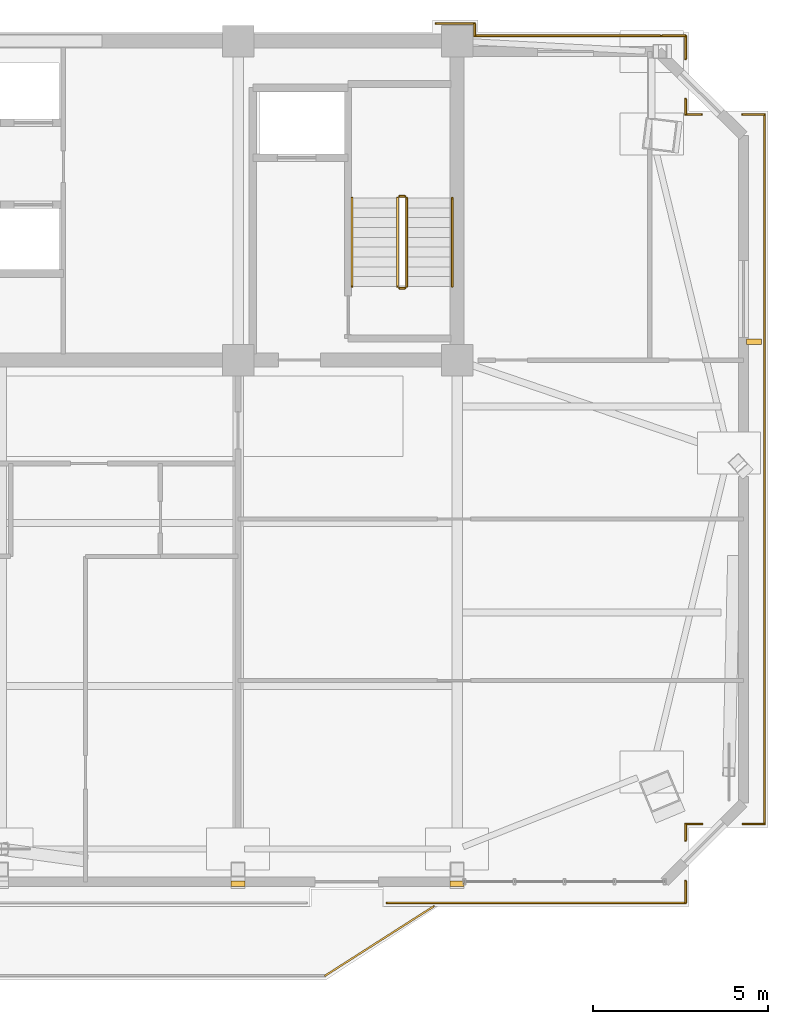
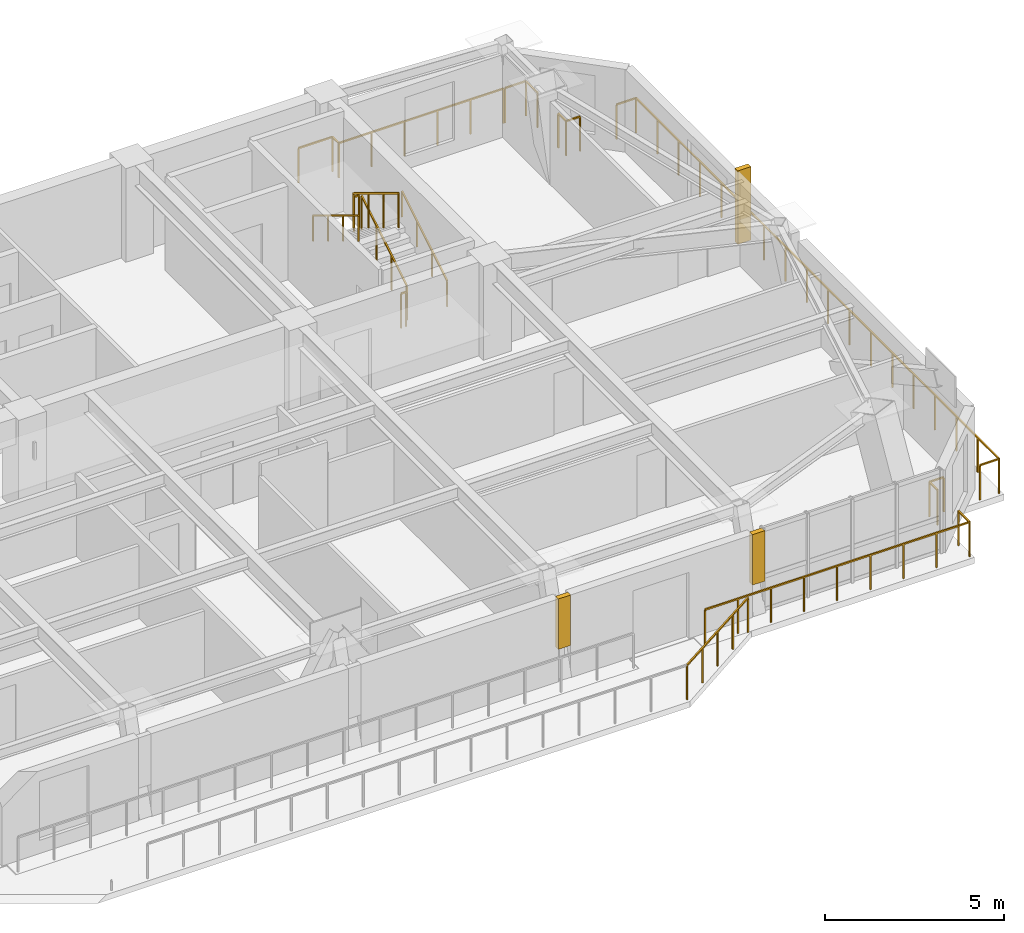
# One storey, part 12 of 12: 21 railings, 2 coverings, 1 shading device.
"""IFC4 building model written with IfcOpenShell, lengths in metres."""

from ifc_helpers import new_model, si_unit, direction, frame, origin, origin_2d, place, context, subcontext, project, spatial, polyline, rectangle, outline, extrude, source, transform, mapped, material, layer, layer_set, type_object, element, save


model = new_model("IFC4")

# Units and contexts
model_context = context("Model", 3, precision=1e-05, world=origin(), true_north=direction((0.0, 1.0)))
body_context = subcontext(model_context, "Body", "Model", "MODEL_VIEW")
ifc_project = project(units=[si_unit("LENGTHUNIT", "METRE"), si_unit("AREAUNIT", "SQUARE_METRE"), si_unit("VOLUMEUNIT", "CUBIC_METRE"), si_unit("PLANEANGLEUNIT", "RADIAN"), si_unit("MASSUNIT", "GRAM", prefix="KILO")], contexts=[model_context])

# Site, building, storey
site_placement = place(None, origin())
site = spatial("IfcSite", under=ifc_project, at=site_placement, CompositionType="ELEMENT")
building_placement = place(site_placement, origin())
building = spatial("IfcBuilding", under=site, at=building_placement, Name="Giltprow Tower", CompositionType="ELEMENT")
storey_placement = place(building_placement, frame((0.0, 0.0, 342.5)))
storey = spatial("IfcBuildingStorey", under=building, at=storey_placement, Name="L89", CompositionType="ELEMENT", Elevation=342.5)

# Coverings
ifc_material = material(Name="Anodized bronze", Category="metal")
ifc_layer = layer(ifc_material, 0.0400390625, Name="Anodized bronze")
ifc_layer_set = layer_set([ifc_layer], Name="Anodized bronze")
covering_type = type_object("IfcCoveringType", Name="COV-SOFFIT-BRONZE", PredefinedType="CLADDING", material=ifc_layer_set)
covering_1_placement = place(storey_placement, frame((0.0, 0.0, 1.10009765625)))
element("IfcCovering", 1, at=covering_1_placement, inside=storey, type_object=covering_type, Name="L89 Setback Pier Closure Cladding S-4", PredefinedType="CLADDING", context=body_context, shape_type="SweptSolid", body=[
    extrude(outline(polyline([(44.10009765625, 22.427978515625), (44.5, 22.427978515625), (44.5, 22.587890625), (44.10009765625, 22.587890625), (44.10009765625, 22.427978515625)])), origin(), (0.0, 0.0, 1.0), 1.71484375),
])
covering_2_placement = place(storey_placement, frame((0.0, 0.0, 1.10009765625)))
element("IfcCovering", 2, at=covering_2_placement, inside=storey, type_object=covering_type, Name="L89 Setback Pier Closure Cladding S-5", PredefinedType="CLADDING", context=body_context, shape_type="SweptSolid", body=[
    extrude(outline(polyline([(50.35009765625, 22.427978515625), (50.75, 22.427978515625), (50.75, 22.587890625), (50.35009765625, 22.587890625), (50.35009765625, 22.427978515625)])), origin(), (0.0, 0.0, 1.0), 1.71484375),
])

# Railings
railing_type_1 = type_object("IfcRailingType", Name="RAIL-BALC-GUARD-1200", PredefinedType="BALUSTRADE", material=ifc_material)
railing_1_placement = place(storey_placement, frame((46.780029296875, 19.887939453125, 0.0)))
element("IfcRailing", 3, at=railing_1_placement, inside=storey, type_object=railing_type_1, Name="L89 Waterfront Balcony Balustrade Seg 3", PredefinedType="BALUSTRADE", context=body_context, shape_type="SweptSolid", body=[
    extrude(rectangle(XDim=0.048095703125, YDim=0.048095703125, at=origin_2d()), frame((0.0, 0.0, 1.17578125), z_axis=(0.842755646126, 0.538296313309, 0.0), x_axis=(-0.538296313309, 0.842755646126, 0.0)), (0.0, 0.0, 1.0), 3.67822265625),
    extrude(rectangle(XDim=0.0419921875, YDim=0.0419921875, at=origin_2d()), origin(), (0.0, 0.0, 1.0), 1.15185546875),
    extrude(rectangle(XDim=0.0419921875, YDim=0.0419921875, at=origin_2d()), frame((0.77490234375, 0.4951171875, 0.0)), (0.0, 0.0, 1.0), 1.15185546875),
    extrude(rectangle(XDim=0.0419921875, YDim=0.0419921875, at=origin_2d()), frame((1.5498046875, 0.989990234375, 0.0)), (0.0, 0.0, 1.0), 1.15185546875),
    extrude(rectangle(XDim=0.0419921875, YDim=0.0419921875, at=origin_2d()), frame((2.324951171875, 1.48486328125, 0.0)), (0.0, 0.0, 1.0), 1.15185546875),
    extrude(rectangle(XDim=0.0419921875, YDim=0.0419921875, at=origin_2d()), frame((3.099853515625, 1.97998046875, 0.0)), (0.0, 0.0, 1.0), 1.15185546875),
])
railing_2_placement = place(storey_placement, frame((59.31494140625, 44.4541015625, 0.0)))
element("IfcRailing", 4, at=railing_2_placement, inside=storey, type_object=railing_type_1, Name="L89 Corner Apron Edge Balustrade 1", PredefinedType="BALUSTRADE", context=body_context, shape_type="SweptSolid", body=[
    extrude(rectangle(XDim=0.048095703125, YDim=0.048095703125, at=origin_2d()), frame((0.0, 0.0, 1.17578125), z_axis=(0.0, -1.0, 0.0), x_axis=(1.0, 0.0, 0.0)), (0.0, 0.0, 1.0), 20.239990234375),
    extrude(rectangle(XDim=0.0419921875, YDim=0.0419921875, at=origin_2d()), origin(), (0.0, 0.0, 1.0), 1.15185546875),
    extrude(rectangle(XDim=0.0419921875, YDim=0.0419921875, at=origin_2d()), frame((0.0, -1.190673828125, 0.0)), (0.0, 0.0, 1.0), 1.15185546875),
    extrude(rectangle(XDim=0.0419921875, YDim=0.0419921875, at=origin_2d()), frame((0.0, -2.381103515625, 0.0)), (0.0, 0.0, 1.0), 1.15185546875),
    extrude(rectangle(XDim=0.0419921875, YDim=0.0419921875, at=origin_2d()), frame((0.0, -3.57177734375, 0.0)), (0.0, 0.0, 1.0), 1.15185546875),
    extrude(rectangle(XDim=0.0419921875, YDim=0.0419921875, at=origin_2d()), frame((0.0, -4.762451171875, 0.0)), (0.0, 0.0, 1.0), 1.15185546875),
    extrude(rectangle(XDim=0.0419921875, YDim=0.0419921875, at=origin_2d()), frame((0.0, -5.952880859375, 0.0)), (0.0, 0.0, 1.0), 1.15185546875),
    extrude(rectangle(XDim=0.0419921875, YDim=0.0419921875, at=origin_2d()), frame((0.0, -7.1435546875, 0.0)), (0.0, 0.0, 1.0), 1.15185546875),
    extrude(rectangle(XDim=0.0419921875, YDim=0.0419921875, at=origin_2d()), frame((0.0, -8.334228515625, 0.0)), (0.0, 0.0, 1.0), 1.15185546875),
    extrude(rectangle(XDim=0.0419921875, YDim=0.0419921875, at=origin_2d()), frame((0.0, -9.524658203125, 0.0)), (0.0, 0.0, 1.0), 1.15185546875),
    extrude(rectangle(XDim=0.0419921875, YDim=0.0419921875, at=origin_2d()), frame((0.0, -10.71533203125, 0.0)), (0.0, 0.0, 1.0), 1.15185546875),
    extrude(rectangle(XDim=0.0419921875, YDim=0.0419921875, at=origin_2d()), frame((0.0, -11.90576171875, 0.0)), (0.0, 0.0, 1.0), 1.15185546875),
    extrude(rectangle(XDim=0.0419921875, YDim=0.0419921875, at=origin_2d()), frame((0.0, -13.096435546875, 0.0)), (0.0, 0.0, 1.0), 1.15185546875),
    extrude(rectangle(XDim=0.0419921875, YDim=0.0419921875, at=origin_2d()), frame((0.0, -14.287109375, 0.0)), (0.0, 0.0, 1.0), 1.15185546875),
    extrude(rectangle(XDim=0.0419921875, YDim=0.0419921875, at=origin_2d()), frame((0.0, -15.4775390625, 0.0)), (0.0, 0.0, 1.0), 1.15185546875),
    extrude(rectangle(XDim=0.0419921875, YDim=0.0419921875, at=origin_2d()), frame((0.0, -16.668212890625, 0.0)), (0.0, 0.0, 1.0), 1.15185546875),
    extrude(rectangle(XDim=0.0419921875, YDim=0.0419921875, at=origin_2d()), frame((0.0, -17.85888671875, 0.0)), (0.0, 0.0, 1.0), 1.15185546875),
    extrude(rectangle(XDim=0.0419921875, YDim=0.0419921875, at=origin_2d()), frame((0.0, -19.04931640625, 0.0)), (0.0, 0.0, 1.0), 1.15185546875),
    extrude(rectangle(XDim=0.0419921875, YDim=0.0419921875, at=origin_2d()), frame((0.0, -20.239990234375, 0.0)), (0.0, 0.0, 1.0), 1.15185546875),
])
railing_3_placement = place(storey_placement, frame((59.31494140625, 24.214111328125, 0.0)))
element("IfcRailing", 5, at=railing_3_placement, inside=storey, type_object=railing_type_1, Name="L89 Corner Apron Edge Balustrade 2", PredefinedType="BALUSTRADE", context=body_context, shape_type="SweptSolid", body=[
    extrude(rectangle(XDim=0.048095703125, YDim=0.048095703125, at=origin_2d()), frame((0.0, 0.0, 1.17578125), z_axis=(-1.0, 0.0, 0.0), x_axis=(0.0, -1.0, 0.0)), (0.0, 0.0, 1.0), 0.619873046875),
    extrude(rectangle(XDim=0.0419921875, YDim=0.0419921875, at=origin_2d()), origin(), (0.0, 0.0, 1.0), 1.15185546875),
    extrude(rectangle(XDim=0.0419921875, YDim=0.0419921875, at=origin_2d()), frame((-0.619873046875, 0.0, 0.0)), (0.0, 0.0, 1.0), 1.15185546875),
])
railing_4_placement = place(storey_placement, frame((57.534912109375, 24.214111328125, 0.0)))
element("IfcRailing", 6, at=railing_4_placement, inside=storey, type_object=railing_type_1, Name="L89 Corner Apron Edge Balustrade 3", PredefinedType="BALUSTRADE", context=body_context, shape_type="SweptSolid", body=[
    extrude(rectangle(XDim=0.048095703125, YDim=0.048095703125, at=origin_2d()), frame((0.0, 0.0, 1.17578125), z_axis=(-1.0, 0.0, 0.0), x_axis=(0.0, -1.0, 0.0)), (0.0, 0.0, 1.0), 0.4658203125),
    extrude(rectangle(XDim=0.0419921875, YDim=0.0419921875, at=origin_2d()), origin(), (0.0, 0.0, 1.0), 1.15185546875),
    extrude(rectangle(XDim=0.0419921875, YDim=0.0419921875, at=origin_2d()), frame((-0.4658203125, 0.0, 0.0)), (0.0, 0.0, 1.0), 1.15185546875),
])
railing_5_placement = place(storey_placement, frame((57.069091796875, 24.214111328125, 0.0)))
element("IfcRailing", 7, at=railing_5_placement, inside=storey, type_object=railing_type_1, Name="L89 Corner Apron Edge Balustrade 4", PredefinedType="BALUSTRADE", context=body_context, shape_type="SweptSolid", body=[
    extrude(rectangle(XDim=0.048095703125, YDim=0.048095703125, at=origin_2d()), frame((0.0, 0.0, 1.17578125), z_axis=(0.0, -1.0, 0.0), x_axis=(1.0, 0.0, 0.0)), (0.0, 0.0, 1.0), 0.466064453125),
    extrude(rectangle(XDim=0.0419921875, YDim=0.0419921875, at=origin_2d()), origin(), (0.0, 0.0, 1.0), 1.15185546875),
    extrude(rectangle(XDim=0.0419921875, YDim=0.0419921875, at=origin_2d()), frame((0.0, -0.466064453125, 0.0)), (0.0, 0.0, 1.0), 1.15185546875),
])
railing_6_placement = place(storey_placement, frame((57.069091796875, 22.587890625, 0.0)))
element("IfcRailing", 8, at=railing_6_placement, inside=storey, type_object=railing_type_1, Name="L89 Corner Apron Edge Balustrade 5", PredefinedType="BALUSTRADE", context=body_context, shape_type="SweptSolid", body=[
    extrude(rectangle(XDim=0.048095703125, YDim=0.048095703125, at=origin_2d()), frame((0.0, 0.0, 1.17578125), z_axis=(0.0, -1.0, 0.0), x_axis=(1.0, 0.0, 0.0)), (0.0, 0.0, 1.0), 0.619873046875),
    extrude(rectangle(XDim=0.0419921875, YDim=0.0419921875, at=origin_2d()), origin(), (0.0, 0.0, 1.0), 1.15185546875),
    extrude(rectangle(XDim=0.0419921875, YDim=0.0419921875, at=origin_2d()), frame((0.0, -0.619873046875, 0.0)), (0.0, 0.0, 1.0), 1.15185546875),
])
railing_7_placement = place(storey_placement, frame((57.069091796875, 21.968017578125, 0.0)))
element("IfcRailing", 9, at=railing_7_placement, inside=storey, type_object=railing_type_1, Name="L89 Corner Apron Edge Balustrade 6", PredefinedType="BALUSTRADE", context=body_context, shape_type="SweptSolid", body=[
    extrude(rectangle(XDim=0.048095703125, YDim=0.048095703125, at=origin_2d()), frame((0.0, 0.0, 1.17578125), z_axis=(-1.0, 0.0, 0.0), x_axis=(0.0, -1.0, 0.0)), (0.0, 0.0, 1.0), 8.51904296875),
    extrude(rectangle(XDim=0.0419921875, YDim=0.0419921875, at=origin_2d()), origin(), (0.0, 0.0, 1.0), 1.15185546875),
    extrude(rectangle(XDim=0.0419921875, YDim=0.0419921875, at=origin_2d()), frame((-1.06494140625, 0.0, 0.0)), (0.0, 0.0, 1.0), 1.15185546875),
    extrude(rectangle(XDim=0.0419921875, YDim=0.0419921875, at=origin_2d()), frame((-2.1298828125, 0.0, 0.0)), (0.0, 0.0, 1.0), 1.15185546875),
    extrude(rectangle(XDim=0.0419921875, YDim=0.0419921875, at=origin_2d()), frame((-3.194580078125, 0.0, 0.0)), (0.0, 0.0, 1.0), 1.15185546875),
    extrude(rectangle(XDim=0.0419921875, YDim=0.0419921875, at=origin_2d()), frame((-4.259521484375, 0.0, 0.0)), (0.0, 0.0, 1.0), 1.15185546875),
    extrude(rectangle(XDim=0.0419921875, YDim=0.0419921875, at=origin_2d()), frame((-5.324462890625, 0.0, 0.0)), (0.0, 0.0, 1.0), 1.15185546875),
    extrude(rectangle(XDim=0.0419921875, YDim=0.0419921875, at=origin_2d()), frame((-6.38916015625, 0.0, 0.0)), (0.0, 0.0, 1.0), 1.15185546875),
    extrude(rectangle(XDim=0.0419921875, YDim=0.0419921875, at=origin_2d()), frame((-7.4541015625, 0.0, 0.0)), (0.0, 0.0, 1.0), 1.15185546875),
    extrude(rectangle(XDim=0.0419921875, YDim=0.0419921875, at=origin_2d()), frame((-8.51904296875, 0.0, 0.0)), (0.0, 0.0, 1.0), 1.15185546875),
])
railing_8_placement = place(storey_placement, frame((49.949951171875, 47.050048828125, 0.0)))
element("IfcRailing", 10, at=railing_8_placement, inside=storey, type_object=railing_type_1, Name="L89 Corner Apron Edge Balustrade 22", PredefinedType="BALUSTRADE", context=body_context, shape_type="SweptSolid", body=[
    extrude(rectangle(XDim=0.048095703125, YDim=0.048095703125, at=origin_2d()), frame((0.0, 0.0, 1.17578125), z_axis=(1.0, 0.0, 0.0), x_axis=(0.0, 1.0, 0.0)), (0.0, 0.0, 1.0), 1.10009765625),
    extrude(rectangle(XDim=0.0419921875, YDim=0.0419921875, at=origin_2d()), origin(), (0.0, 0.0, 1.0), 1.15185546875),
    extrude(rectangle(XDim=0.0419921875, YDim=0.0419921875, at=origin_2d()), frame((1.10009765625, 0.0, 0.0)), (0.0, 0.0, 1.0), 1.15185546875),
])
railing_9_placement = place(storey_placement, frame((51.050048828125, 47.050048828125, 0.0)))
element("IfcRailing", 11, at=railing_9_placement, inside=storey, type_object=railing_type_1, Name="L89 Corner Apron Edge Balustrade 23", PredefinedType="BALUSTRADE", context=body_context, shape_type="SweptSolid", body=[
    extrude(rectangle(XDim=0.048095703125, YDim=0.048095703125, at=origin_2d()), frame((0.0, 0.0, 1.17578125), z_axis=(0.0, -1.0, 0.0), x_axis=(1.0, 0.0, 0.0)), (0.0, 0.0, 1.0), 0.35009765625),
    extrude(rectangle(XDim=0.0419921875, YDim=0.0419921875, at=origin_2d()), origin(), (0.0, 0.0, 1.0), 1.15185546875),
    extrude(rectangle(XDim=0.0419921875, YDim=0.0419921875, at=origin_2d()), frame((0.0, -0.35009765625, 0.0)), (0.0, 0.0, 1.0), 1.15185546875),
])
railing_10_placement = place(storey_placement, frame((51.050048828125, 46.699951171875, 0.0)))
element("IfcRailing", 12, at=railing_10_placement, inside=storey, type_object=railing_type_1, Name="L89 Corner Apron Edge Balustrade 24", PredefinedType="BALUSTRADE", context=body_context, shape_type="SweptSolid", body=[
    extrude(rectangle(XDim=0.048095703125, YDim=0.048095703125, at=origin_2d()), frame((0.0, 0.0, 1.17578125), z_axis=(1.0, 0.0, 0.0), x_axis=(0.0, 1.0, 0.0)), (0.0, 0.0, 1.0), 5.2958984375),
    extrude(rectangle(XDim=0.0419921875, YDim=0.0419921875, at=origin_2d()), origin(), (0.0, 0.0, 1.0), 1.15185546875),
    extrude(rectangle(XDim=0.0419921875, YDim=0.0419921875, at=origin_2d()), frame((1.05908203125, 0.0, 0.0)), (0.0, 0.0, 1.0), 1.15185546875),
    extrude(rectangle(XDim=0.0419921875, YDim=0.0419921875, at=origin_2d()), frame((2.118408203125, 0.0, 0.0)), (0.0, 0.0, 1.0), 1.15185546875),
    extrude(rectangle(XDim=0.0419921875, YDim=0.0419921875, at=origin_2d()), frame((3.177490234375, 0.0, 0.0)), (0.0, 0.0, 1.0), 1.15185546875),
    extrude(rectangle(XDim=0.0419921875, YDim=0.0419921875, at=origin_2d()), frame((4.23681640625, 0.0, 0.0)), (0.0, 0.0, 1.0), 1.15185546875),
    extrude(rectangle(XDim=0.0419921875, YDim=0.0419921875, at=origin_2d()), frame((5.2958984375, 0.0, 0.0)), (0.0, 0.0, 1.0), 1.15185546875),
])
railing_11_placement = place(storey_placement, frame((56.39599609375, 46.699951171875, 0.0)))
element("IfcRailing", 13, at=railing_11_placement, inside=storey, type_object=railing_type_1, Name="L89 Corner Apron Edge Balustrade 25", PredefinedType="BALUSTRADE", context=body_context, shape_type="SweptSolid", body=[
    extrude(rectangle(XDim=0.048095703125, YDim=0.048095703125, at=origin_2d()), frame((0.0, 0.0, 1.17578125), z_axis=(1.0, 0.0, 0.0), x_axis=(0.0, 1.0, 0.0)), (0.0, 0.0, 1.0), 0.673095703125),
    extrude(rectangle(XDim=0.0419921875, YDim=0.0419921875, at=origin_2d()), origin(), (0.0, 0.0, 1.0), 1.15185546875),
    extrude(rectangle(XDim=0.0419921875, YDim=0.0419921875, at=origin_2d()), frame((0.673095703125, 0.0, 0.0)), (0.0, 0.0, 1.0), 1.15185546875),
])
railing_12_placement = place(storey_placement, frame((57.069091796875, 46.699951171875, 0.0)))
element("IfcRailing", 14, at=railing_12_placement, inside=storey, type_object=railing_type_1, Name="L89 Corner Apron Edge Balustrade 26", PredefinedType="BALUSTRADE", context=body_context, shape_type="SweptSolid", body=[
    extrude(rectangle(XDim=0.048095703125, YDim=0.048095703125, at=origin_2d()), frame((0.0, 0.0, 1.17578125), z_axis=(0.0, -1.0, 0.0), x_axis=(1.0, 0.0, 0.0)), (0.0, 0.0, 1.0), 0.659912109375),
    extrude(rectangle(XDim=0.0419921875, YDim=0.0419921875, at=origin_2d()), origin(), (0.0, 0.0, 1.0), 1.15185546875),
    extrude(rectangle(XDim=0.0419921875, YDim=0.0419921875, at=origin_2d()), frame((0.0, -0.659912109375, 0.0)), (0.0, 0.0, 1.0), 1.15185546875),
])
railing_13_placement = place(storey_placement, frame((57.069091796875, 44.89208984375, 0.0)))
element("IfcRailing", 15, at=railing_13_placement, inside=storey, type_object=railing_type_1, Name="L89 Corner Apron Edge Balustrade 27", PredefinedType="BALUSTRADE", context=body_context, shape_type="SweptSolid", body=[
    extrude(rectangle(XDim=0.048095703125, YDim=0.048095703125, at=origin_2d()), frame((0.0, 0.0, 1.17578125), z_axis=(0.0, -1.0, 0.0), x_axis=(1.0, 0.0, 0.0)), (0.0, 0.0, 1.0), 0.43798828125),
    extrude(rectangle(XDim=0.0419921875, YDim=0.0419921875, at=origin_2d()), origin(), (0.0, 0.0, 1.0), 1.15185546875),
    extrude(rectangle(XDim=0.0419921875, YDim=0.0419921875, at=origin_2d()), frame((0.0, -0.43798828125, 0.0)), (0.0, 0.0, 1.0), 1.15185546875),
])
railing_14_placement = place(storey_placement, frame((57.069091796875, 44.4541015625, 0.0)))
element("IfcRailing", 16, at=railing_14_placement, inside=storey, type_object=railing_type_1, Name="L89 Corner Apron Edge Balustrade 28", PredefinedType="BALUSTRADE", context=body_context, shape_type="SweptSolid", body=[
    extrude(rectangle(XDim=0.048095703125, YDim=0.048095703125, at=origin_2d()), frame((0.0, 0.0, 1.17578125), z_axis=(1.0, 0.0, 0.0), x_axis=(0.0, 1.0, 0.0)), (0.0, 0.0, 1.0), 0.447998046875),
    extrude(rectangle(XDim=0.0419921875, YDim=0.0419921875, at=origin_2d()), origin(), (0.0, 0.0, 1.0), 1.15185546875),
    extrude(rectangle(XDim=0.0419921875, YDim=0.0419921875, at=origin_2d()), frame((0.447998046875, 0.0, 0.0)), (0.0, 0.0, 1.0), 1.15185546875),
])
railing_15_placement = place(storey_placement, frame((58.68798828125, 44.4541015625, 0.0)))
element("IfcRailing", 17, at=railing_15_placement, inside=storey, type_object=railing_type_1, Name="L89 Corner Apron Edge Balustrade 29", PredefinedType="BALUSTRADE", context=body_context, shape_type="SweptSolid", body=[
    extrude(rectangle(XDim=0.048095703125, YDim=0.048095703125, at=origin_2d()), frame((0.0, 0.0, 1.17578125), z_axis=(1.0, 0.0, 0.0), x_axis=(0.0, 1.0, 0.0)), (0.0, 0.0, 1.0), 0.626953125),
    extrude(rectangle(XDim=0.0419921875, YDim=0.0419921875, at=origin_2d()), origin(), (0.0, 0.0, 1.0), 1.15185546875),
    extrude(rectangle(XDim=0.0419921875, YDim=0.0419921875, at=origin_2d()), frame((0.626953125, 0.0, 0.0)), (0.0, 0.0, 1.0), 1.15185546875),
])
railing_type_2 = type_object("IfcRailingType", Name="RAIL-STAIR-GUARD-1200", PredefinedType="GUARDRAIL", material=ifc_material)
railing_16_placement = place(storey_placement, frame((49.110107421875, 39.550048828125, 0.169921875)))
element("IfcRailing", 18, at=railing_16_placement, inside=storey, type_object=railing_type_2, Name="L89 ST-3 stair guard 1", PredefinedType="GUARDRAIL", context=body_context, shape_type="SweptSolid", body=[
    extrude(rectangle(XDim=0.048095703125, YDim=0.048095703125, at=origin_2d()), frame((0.0, 0.0, 1.17578125), z_axis=(0.0, 0.85478489116, 0.518982456201), x_axis=(-1.0, 0.0, 0.0)), (0.0, 0.0, 1.0), 2.9482421875),
    extrude(rectangle(XDim=0.0419921875, YDim=0.0419921875, at=origin_2d()), origin(), (0.0, 0.0, 1.0), 1.15185546875),
    extrude(rectangle(XDim=0.0419921875, YDim=0.0419921875, at=origin_2d()), frame((0.0, 0.840087890625, 0.510009765625)), (0.0, 0.0, 1.0), 1.15185546875),
    extrude(rectangle(XDim=0.0419921875, YDim=0.0419921875, at=origin_2d()), frame((0.0, 1.679931640625, 1.02001953125)), (0.0, 0.0, 1.0), 1.15185546875),
    extrude(rectangle(XDim=0.0419921875, YDim=0.0419921875, at=origin_2d()), frame((0.0, 2.52001953125, 1.530029296875)), (0.0, 0.0, 1.0), 1.15185546875),
])
railing_17_placement = place(storey_placement, frame((49.06005859375, 42.1201171875, 1.699951171875)))
element("IfcRailing", 19, at=railing_17_placement, inside=storey, type_object=railing_type_2, Name="L89 ST-3 stair guard 2", PredefinedType="GUARDRAIL", context=body_context, shape_type="SweptSolid", body=[
    extrude(rectangle(XDim=0.048095703125, YDim=0.048095703125, at=origin_2d()), frame((0.0, 0.0, 1.17578125), z_axis=(-1.0, 0.0, 0.0), x_axis=(0.0, -1.0, 0.0)), (0.0, 0.0, 1.0), 0.16015625),
    extrude(rectangle(XDim=0.0419921875, YDim=0.0419921875, at=origin_2d()), origin(), (0.0, 0.0, 1.0), 1.15185546875),
    extrude(rectangle(XDim=0.0419921875, YDim=0.0419921875, at=origin_2d()), frame((-0.16015625, 0.0, 0.0)), (0.0, 0.0, 1.0), 1.15185546875),
])
railing_18_placement = place(storey_placement, frame((48.85009765625, 42.070068359375, 1.8701171875)))
element("IfcRailing", 20, at=railing_18_placement, inside=storey, type_object=railing_type_2, Name="L89 ST-3 stair guard 3", PredefinedType="GUARDRAIL", context=body_context, shape_type="SweptSolid", body=[
    extrude(rectangle(XDim=0.048095703125, YDim=0.048095703125, at=origin_2d()), frame((0.0, 0.0, 1.17578125), z_axis=(0.0, -0.854821627497, 0.518921945155), x_axis=(1.0, 0.0, 0.0)), (0.0, 0.0, 1.0), 2.947998046875),
    extrude(rectangle(XDim=0.0419921875, YDim=0.0419921875, at=origin_2d()), origin(), (0.0, 0.0, 1.0), 1.15185546875),
    extrude(rectangle(XDim=0.0419921875, YDim=0.0419921875, at=origin_2d()), frame((0.0, -0.840087890625, 0.510009765625)), (0.0, 0.0, 1.0), 1.15185546875),
    extrude(rectangle(XDim=0.0419921875, YDim=0.0419921875, at=origin_2d()), frame((0.0, -1.679931640625, 1.019775390625)), (0.0, 0.0, 1.0), 1.15185546875),
    extrude(rectangle(XDim=0.0419921875, YDim=0.0419921875, at=origin_2d()), frame((0.0, -2.52001953125, 1.52978515625)), (0.0, 0.0, 1.0), 1.15185546875),
])
railing_19_placement = place(storey_placement, frame((49.06005859375, 39.5, 0.0)))
element("IfcRailing", 21, at=railing_19_placement, inside=storey, type_object=railing_type_2, Name="L89 ST-3 stair guard 4", PredefinedType="GUARDRAIL", context=body_context, shape_type="SweptSolid", body=[
    extrude(rectangle(XDim=0.048095703125, YDim=0.048095703125, at=origin_2d()), frame((0.0, 0.0, 1.17578125), z_axis=(-1.0, 0.0, 0.0), x_axis=(0.0, -1.0, 0.0)), (0.0, 0.0, 1.0), 0.16015625),
    extrude(rectangle(XDim=0.0419921875, YDim=0.0419921875, at=origin_2d()), origin(), (0.0, 0.0, 1.0), 1.15185546875),
    extrude(rectangle(XDim=0.0419921875, YDim=0.0419921875, at=origin_2d()), frame((-0.16015625, 0.0, 0.0)), (0.0, 0.0, 1.0), 1.15185546875),
])
railing_type_3 = type_object("IfcRailingType", Name="RAIL-STAIR-HAND-900", PredefinedType="HANDRAIL", material=ifc_material)
railing_20_placement = place(storey_placement, frame((50.409912109375, 39.550048828125, 0.169921875)))
element("IfcRailing", 22, at=railing_20_placement, inside=storey, type_object=railing_type_3, Name="L89 ST-3 stair handrail 1", PredefinedType="HANDRAIL", context=body_context, shape_type="SweptSolid", body=[
    extrude(rectangle(XDim=0.048095703125, YDim=0.048095703125, at=origin_2d()), frame((0.0, 0.0, 0.8759765625), z_axis=(0.0, 0.85478489116, 0.518982456201), x_axis=(-1.0, 0.0, 0.0)), (0.0, 0.0, 1.0), 2.9482421875),
    extrude(rectangle(XDim=0.0419921875, YDim=0.0419921875, at=origin_2d()), origin(), (0.0, 0.0, 1.0), 0.851806640625),
    extrude(rectangle(XDim=0.0419921875, YDim=0.0419921875, at=origin_2d()), frame((0.0, 0.840087890625, 0.510009765625)), (0.0, 0.0, 1.0), 0.851806640625),
    extrude(rectangle(XDim=0.0419921875, YDim=0.0419921875, at=origin_2d()), frame((0.0, 1.679931640625, 1.02001953125)), (0.0, 0.0, 1.0), 0.851806640625),
    extrude(rectangle(XDim=0.0419921875, YDim=0.0419921875, at=origin_2d()), frame((0.0, 2.52001953125, 1.530029296875)), (0.0, 0.0, 1.0), 0.851806640625),
])
railing_21_placement = place(storey_placement, frame((47.550048828125, 42.070068359375, 1.8701171875)))
element("IfcRailing", 23, at=railing_21_placement, inside=storey, type_object=railing_type_3, Name="L89 ST-3 stair handrail 2", PredefinedType="HANDRAIL", context=body_context, shape_type="SweptSolid", body=[
    extrude(rectangle(XDim=0.048095703125, YDim=0.048095703125, at=origin_2d()), frame((0.0, 0.0, 0.8759765625), z_axis=(0.0, -0.854821627497, 0.518921945155), x_axis=(1.0, 0.0, 0.0)), (0.0, 0.0, 1.0), 2.947998046875),
    extrude(rectangle(XDim=0.0419921875, YDim=0.0419921875, at=origin_2d()), origin(), (0.0, 0.0, 1.0), 0.851806640625),
    extrude(rectangle(XDim=0.0419921875, YDim=0.0419921875, at=origin_2d()), frame((0.0, -0.840087890625, 0.510009765625)), (0.0, 0.0, 1.0), 0.851806640625),
    extrude(rectangle(XDim=0.0419921875, YDim=0.0419921875, at=origin_2d()), frame((0.0, -1.679931640625, 1.019775390625)), (0.0, 0.0, 1.0), 0.851806640625),
    extrude(rectangle(XDim=0.0419921875, YDim=0.0419921875, at=origin_2d()), frame((0.0, -2.52001953125, 1.52978515625)), (0.0, 0.0, 1.0), 0.851806640625),
])

# Shading device
shading_device_type = type_object("IfcShadingDeviceType", Name="SHD-FIN-420", PredefinedType="USERDEFINED", material=ifc_material)
shared_shape = source(origin(), body_context, "Body", "SweptSolid", [
    extrude(rectangle(XDim=0.419921875, YDim=0.159912109375, at=origin_2d()), origin(), (0.0, 0.0, 1.0), 2.5),
])
shading_device_placement = place(storey_placement, frame((59.014892578125, 37.97412109375, 0.35009765625), z_axis=(0.0, 0.0, 1.0), x_axis=(1.0, 0.0, 0.0)))
element("IfcShadingDevice", 24, at=shading_device_placement, inside=storey, type_object=shading_device_type, Name="L89 E Bronze Vertical Fin 2-1", ObjectType="FIN", PredefinedType="USERDEFINED", context=body_context, shape_type="MappedRepresentation", body=[
    mapped(shared_shape, transform((0.0, 0.0, 0.0), x_axis=(1.0, 0.0, 0.0), y_axis=(0.0, 1.0, 0.0), z_axis=(0.0, 0.0, 1.0), scale=1.0)),
])

save(model, "model.ifc")
